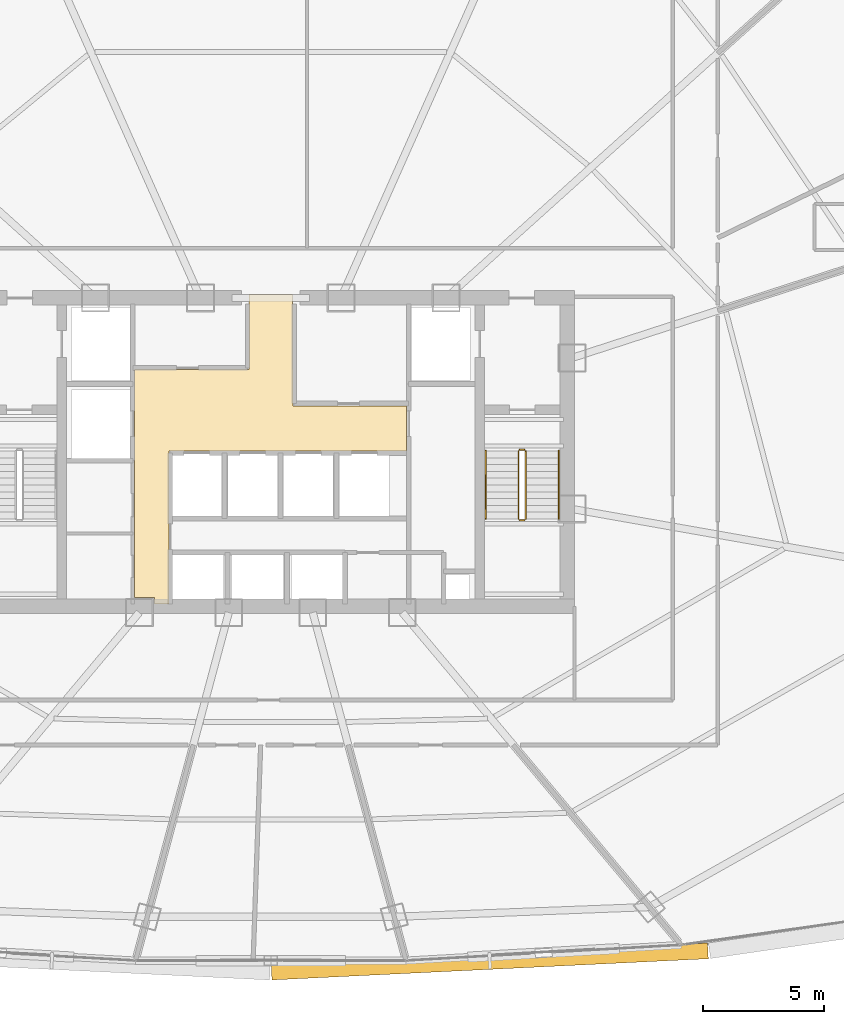
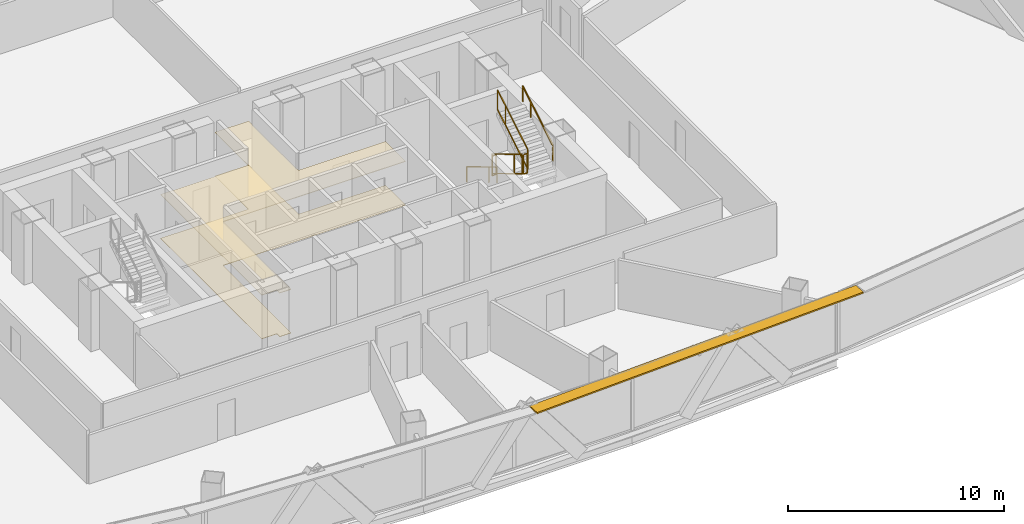
# One storey, part 40 of 42: 6 railings, 2 coverings, 1 shading device.
"""IFC4 building model written with IfcOpenShell, lengths in metres."""

from ifc_helpers import new_model, si_unit, direction, frame, origin, origin_2d, place, context, subcontext, project, spatial, polyline, rectangle, outline, extrude, source, transform, mapped, material, layer, layer_set, type_object, element, save


model = new_model("IFC4")

# Units and contexts
model_context = context("Model", 3, precision=1e-05, world=origin(), true_north=direction((0.0, 1.0)))
body_context = subcontext(model_context, "Body", "Model", "MODEL_VIEW")
ifc_project = project(units=[si_unit("LENGTHUNIT", "METRE"), si_unit("AREAUNIT", "SQUARE_METRE"), si_unit("VOLUMEUNIT", "CUBIC_METRE"), si_unit("PLANEANGLEUNIT", "RADIAN"), si_unit("MASSUNIT", "GRAM", prefix="KILO"), si_unit("THERMODYNAMICTEMPERATUREUNIT", "KELVIN"), si_unit("POWERUNIT", "WATT")], contexts=[model_context])

# Site, building, storey
site_placement = place(None, origin())
site = spatial("IfcSite", under=ifc_project, at=site_placement, CompositionType="ELEMENT")
building_placement = place(site_placement, origin())
building = spatial("IfcBuilding", under=site, at=building_placement, Name="Yunzhuo Pagoda Commons", CompositionType="ELEMENT")
storey_placement = place(building_placement, frame((0.0, 0.0, 133.510009765625)))
storey = spatial("IfcBuildingStorey", under=building, at=storey_placement, Name="L33", CompositionType="ELEMENT", Elevation=133.510009765625)

# Coverings
ifc_material_1 = material(Name="Perforated gypsum acoustic ceiling tile")
ifc_layer_1 = layer(ifc_material_1, 0.030029296875)
ifc_layer_set_1 = layer_set([ifc_layer_1], Name="Perforated gypsum acoustic ceiling tile")
covering_type_1 = type_object("IfcCoveringType", Name="COV-CL2 Ceiling 30", PredefinedType="CEILING", material=ifc_layer_set_1)
covering_1_placement = place(storey_placement, frame((0.0, 0.0, 2.469970703125)))
element("IfcCovering", 1, at=covering_1_placement, inside=storey, type_object=covering_type_1, Name="L33 lift lobby acoustic ceiling", PredefinedType="CEILING", context=body_context, shape_type="SweptSolid", body=[
    extrude(outline(polyline([(42.39990234375, 37.25), (47.10009765625, 37.25), (47.10009765625, 40.35009765625), (48.89990234375, 40.35009765625), (48.89990234375, 37.25), (48.919921875, 37.25), (48.919921875, 35.75), (53.580078125, 35.75), (53.580078125, 33.89990234375), (43.820068359375, 33.89990234375), (43.820068359375, 27.60009765625), (43.207763671875, 27.60009765625), (43.207763671875, 27.85009765625), (43.201904296875, 27.864013671875), (43.187744140625, 27.8701171875), (42.39990234375, 27.8701171875), (42.39990234375, 33.89990234375), (42.39990234375, 37.25)])), origin(), (0.0, 0.0, 1.0), 0.030029296875),
])
ifc_material_2 = material(Name="Porcelain ceramic floor tile")
ifc_layer_2 = layer(ifc_material_2, 0.02001953125)
ifc_layer_set_2 = layer_set([ifc_layer_2], Name="Porcelain ceramic floor tile")
covering_type_2 = type_object("IfcCoveringType", Name="COV-FL1 Flooring 20", PredefinedType="FLOORING", material=ifc_layer_set_2)
covering_2_placement = place(storey_placement, origin())
element("IfcCovering", 2, at=covering_2_placement, inside=storey, type_object=covering_type_2, Name="L33 lift lobby flooring", PredefinedType="FLOORING", context=body_context, shape_type="SweptSolid", body=[
    extrude(outline(polyline([(42.39990234375, 37.25), (47.10009765625, 37.25), (47.10009765625, 40.35009765625), (48.89990234375, 40.35009765625), (48.89990234375, 37.25), (48.919921875, 37.25), (48.919921875, 35.75), (53.580078125, 35.75), (53.580078125, 33.89990234375), (43.820068359375, 33.89990234375), (43.820068359375, 27.60009765625), (43.207763671875, 27.60009765625), (43.207763671875, 27.85009765625), (43.201904296875, 27.864013671875), (43.187744140625, 27.8701171875), (42.39990234375, 27.8701171875), (42.39990234375, 33.89990234375), (42.39990234375, 37.25)])), origin(), (0.0, 0.0, 1.0), 0.02001953125),
])

# Railings
ifc_material_3 = material(Name="Anodized aluminium 6063-T6", Category="aluminium")
railing_type_1 = type_object("IfcRailingType", Name="GR-ST2 Stair Well Guardrail 1160", PredefinedType="GUARDRAIL", material=ifc_material_3)
railing_1_placement = place(storey_placement, frame((58.199951171875, 33.89990234375, 0.167236328125)))
element("IfcRailing", 3, at=railing_1_placement, inside=storey, type_object=railing_type_1, Name="L33 ST2 stair guard 1", PredefinedType="GUARDRAIL", context=body_context, shape_type="SweptSolid", body=[
    extrude(rectangle(XDim=0.048095703125, YDim=0.048095703125, at=origin_2d()), frame((0.0, 0.0, 1.1259765625), z_axis=(0.0, -0.858442565357, 0.512909701589), x_axis=(1.0, 0.0, 0.0)), (0.0, 0.0, 1.0), 3.261474609375),
    extrude(rectangle(XDim=0.048095703125, YDim=0.048095703125, at=origin_2d()), frame((0.0, 0.0, 0.02392578125), z_axis=(0.0, -0.858442565357, 0.512909701589), x_axis=(1.0, 0.0, 0.0)), (0.0, 0.0, 1.0), 3.261474609375),
    extrude(rectangle(XDim=0.0419921875, YDim=0.0419921875, at=origin_2d()), origin(), (0.0, 0.0, 1.0), 1.101806640625),
    extrude(rectangle(XDim=0.0419921875, YDim=0.0419921875, at=origin_2d()), frame((0.0, -2.060302734375, 1.23095703125)), (0.0, 0.0, 1.0), 1.101806640625),
    extrude(rectangle(XDim=0.0419921875, YDim=0.0419921875, at=origin_2d()), frame((0.0, -2.7998046875, 1.6728515625)), (0.0, 0.0, 1.0), 1.101806640625),
])
railing_2_placement = place(storey_placement, frame((58.25, 31.050048828125, 1.840087890625)))
element("IfcRailing", 4, at=railing_2_placement, inside=storey, type_object=railing_type_1, Name="L33 ST2 stair guard 2", PredefinedType="GUARDRAIL", context=body_context, shape_type="SweptSolid", body=[
    extrude(rectangle(XDim=0.048095703125, YDim=0.048095703125, at=origin_2d()), frame((0.0, 0.0, 1.1259765625), z_axis=(1.0, 0.0, 0.0), x_axis=(0.0, 1.0, 0.0)), (0.0, 0.0, 1.0), 0.199951171875),
    extrude(rectangle(XDim=0.048095703125, YDim=0.048095703125, at=origin_2d()), frame((0.0, 0.0, 0.02392578125), z_axis=(1.0, 0.0, 0.0), x_axis=(0.0, 1.0, 0.0)), (0.0, 0.0, 1.0), 0.199951171875),
    extrude(rectangle(XDim=0.0419921875, YDim=0.0419921875, at=origin_2d()), origin(), (0.0, 0.0, 1.0), 1.101806640625),
    extrude(rectangle(XDim=0.0419921875, YDim=0.0419921875, at=origin_2d()), frame((0.199951171875, 0.0, 0.0)), (0.0, 0.0, 1.0), 1.101806640625),
])
railing_3_placement = place(storey_placement, frame((58.5, 31.10009765625, 2.00732421875)))
element("IfcRailing", 5, at=railing_3_placement, inside=storey, type_object=railing_type_1, Name="L33 ST2 stair guard 3", PredefinedType="GUARDRAIL", context=body_context, shape_type="SweptSolid", body=[
    extrude(rectangle(XDim=0.048095703125, YDim=0.048095703125, at=origin_2d()), frame((0.0, 0.0, 1.1259765625), z_axis=(0.0, 0.858475523978, 0.512854535645), x_axis=(-1.0, 0.0, 0.0)), (0.0, 0.0, 1.0), 3.261474609375),
    extrude(rectangle(XDim=0.048095703125, YDim=0.048095703125, at=origin_2d()), frame((0.0, 0.0, 0.02392578125), z_axis=(0.0, 0.858475523978, 0.512854535645), x_axis=(-1.0, 0.0, 0.0)), (0.0, 0.0, 1.0), 3.261474609375),
    extrude(rectangle(XDim=0.0419921875, YDim=0.0419921875, at=origin_2d()), origin(), (0.0, 0.0, 1.0), 1.101806640625),
    extrude(rectangle(XDim=0.0419921875, YDim=0.0419921875, at=origin_2d()), frame((0.0, 2.060302734375, 1.23095703125)), (0.0, 0.0, 1.0), 1.101806640625),
    extrude(rectangle(XDim=0.0419921875, YDim=0.0419921875, at=origin_2d()), frame((0.0, 2.7998046875, 1.672607421875)), (0.0, 0.0, 1.0), 1.101806640625),
])
railing_4_placement = place(storey_placement, frame((58.25, 33.949951171875, 0.0)))
element("IfcRailing", 6, at=railing_4_placement, inside=storey, type_object=railing_type_1, Name="L33 ST2 stair guard 4", PredefinedType="GUARDRAIL", context=body_context, shape_type="SweptSolid", body=[
    extrude(rectangle(XDim=0.048095703125, YDim=0.048095703125, at=origin_2d()), frame((0.0, 0.0, 1.1259765625), z_axis=(1.0, 0.0, 0.0), x_axis=(0.0, 1.0, 0.0)), (0.0, 0.0, 1.0), 0.199951171875),
    extrude(rectangle(XDim=0.048095703125, YDim=0.048095703125, at=origin_2d()), frame((0.0, 0.0, 0.02392578125), z_axis=(1.0, 0.0, 0.0), x_axis=(0.0, 1.0, 0.0)), (0.0, 0.0, 1.0), 0.199951171875),
    extrude(rectangle(XDim=0.0419921875, YDim=0.0419921875, at=origin_2d()), origin(), (0.0, 0.0, 1.0), 1.101806640625),
    extrude(rectangle(XDim=0.0419921875, YDim=0.0419921875, at=origin_2d()), frame((0.199951171875, 0.0, 0.0)), (0.0, 0.0, 1.0), 1.101806640625),
])
railing_type_2 = type_object("IfcRailingType", Name="HR-ST2 Stair Handrail 900", PredefinedType="HANDRAIL", material=ifc_material_3)
railing_5_placement = place(storey_placement, frame((56.85009765625, 33.89990234375, 0.167236328125)))
element("IfcRailing", 7, at=railing_5_placement, inside=storey, type_object=railing_type_2, Name="L33 ST2 stair handrail 1", PredefinedType="HANDRAIL", context=body_context, shape_type="SweptSolid", body=[
    extrude(rectangle(XDim=0.048095703125, YDim=0.048095703125, at=origin_2d()), frame((0.0, 0.0, 0.8759765625), z_axis=(0.0, -0.858442565357, 0.512909701589), x_axis=(1.0, 0.0, 0.0)), (0.0, 0.0, 1.0), 3.261474609375),
    extrude(rectangle(XDim=0.0419921875, YDim=0.0419921875, at=origin_2d()), origin(), (0.0, 0.0, 1.0), 0.851806640625),
    extrude(rectangle(XDim=0.0419921875, YDim=0.0419921875, at=origin_2d()), frame((0.0, -2.060302734375, 1.23095703125)), (0.0, 0.0, 1.0), 0.851806640625),
    extrude(rectangle(XDim=0.0419921875, YDim=0.0419921875, at=origin_2d()), frame((0.0, -2.7998046875, 1.6728515625)), (0.0, 0.0, 1.0), 0.851806640625),
])
railing_6_placement = place(storey_placement, frame((59.85009765625, 31.10009765625, 2.00732421875)))
element("IfcRailing", 8, at=railing_6_placement, inside=storey, type_object=railing_type_2, Name="L33 ST2 stair handrail 2", PredefinedType="HANDRAIL", context=body_context, shape_type="SweptSolid", body=[
    extrude(rectangle(XDim=0.048095703125, YDim=0.048095703125, at=origin_2d()), frame((0.0, 0.0, 0.8759765625), z_axis=(0.0, 0.858475523978, 0.512854535645), x_axis=(-1.0, 0.0, 0.0)), (0.0, 0.0, 1.0), 3.261474609375),
    extrude(rectangle(XDim=0.0419921875, YDim=0.0419921875, at=origin_2d()), origin(), (0.0, 0.0, 1.0), 0.851806640625),
    extrude(rectangle(XDim=0.0419921875, YDim=0.0419921875, at=origin_2d()), frame((0.0, 2.060302734375, 1.23095703125)), (0.0, 0.0, 1.0), 0.851806640625),
    extrude(rectangle(XDim=0.0419921875, YDim=0.0419921875, at=origin_2d()), frame((0.0, 2.7998046875, 1.672607421875)), (0.0, 0.0, 1.0), 0.851806640625),
])

# Shading device
ifc_layer_3 = layer(ifc_material_3, 0.080078125)
ifc_layer_set_3 = layer_set([ifc_layer_3], Name="Anodized aluminium 6063-T6")
shading_device_type = type_object("IfcShadingDeviceType", Name="SH-SUN1 Pagoda Horizontal Sunshade Eave 650", PredefinedType="USERDEFINED", material=ifc_layer_set_3)
shared_shape = source(origin(), body_context, "Body", "SweptSolid", [
    extrude(rectangle(XDim=17.9873046875, YDim=0.64990234375, at=origin_2d()), origin(), (0.0, 0.0, 1.0), 0.080078125),
])
shading_device_placement = place(storey_placement, frame((57.0146484375, 12.88330078125, 3.33984375), z_axis=(0.0, 0.0, 1.0), x_axis=(0.998818043775, 0.04860571396, 0.0)))
element("IfcShadingDevice", 9, at=shading_device_placement, inside=storey, type_object=shading_device_type, Name="L33 horizontal pagoda sunshade eave F1.3", ObjectType="SUNSHADE", PredefinedType="USERDEFINED", context=body_context, shape_type="MappedRepresentation", body=[
    mapped(shared_shape, transform((0.0, 0.0, 0.0), scale=1.0)),
])

save(model, "model.ifc")
